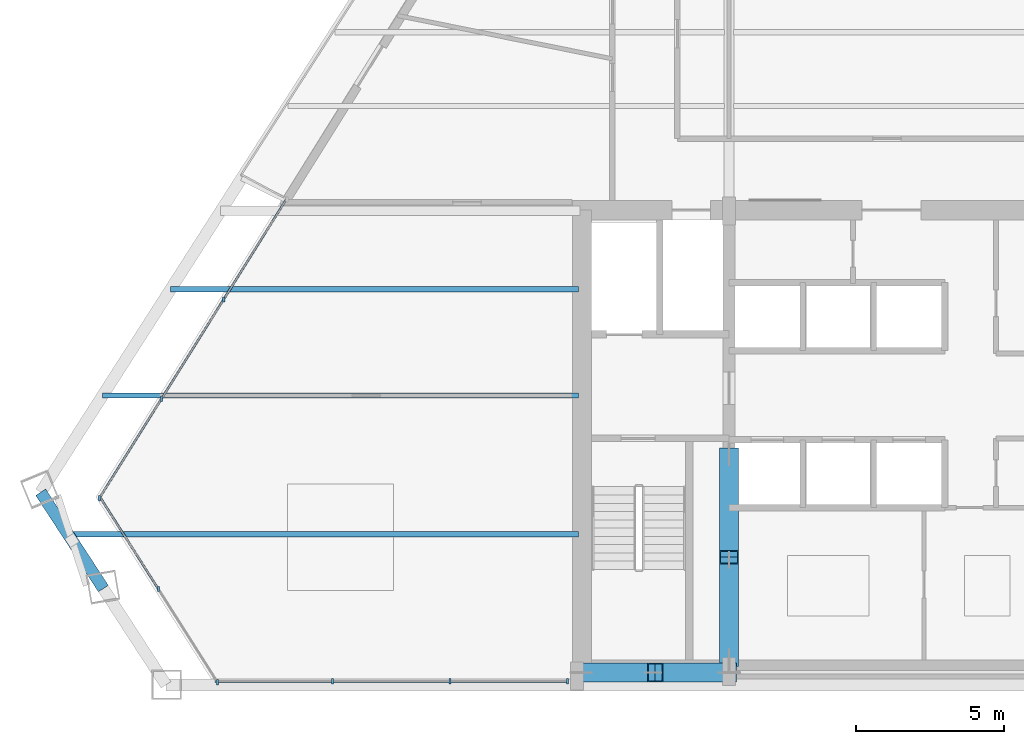
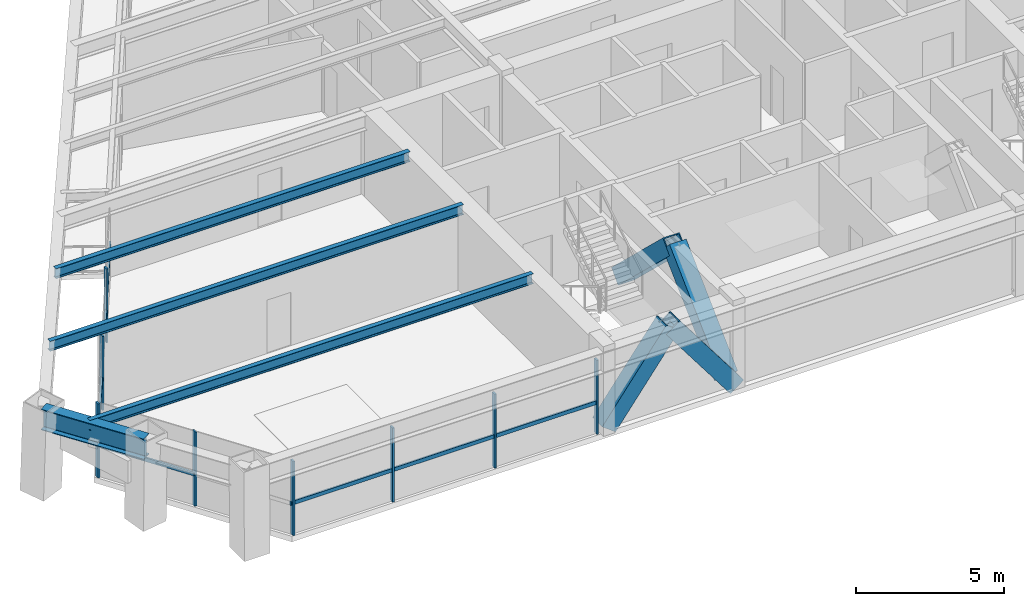
# One storey, part 2 of 15: 19 members, 4 beams, 3 elements without a shape of their own.
"""IFC4 building model written with IfcOpenShell, lengths in metres."""

from ifc_helpers import new_model, si_unit, direction, frame, origin, origin_2d, place, context, subcontext, project, spatial, rectangle, hollow_rectangle, i_section, extrude, source, transform, mapped, material, material_profile, profile_set, type_object, element, aggregate, save


model = new_model("IFC4")

# Units and contexts
model_context = context("Model", 3, precision=1e-05, world=origin(), true_north=direction((0.0, 1.0)))
body_context = subcontext(model_context, "Body", "Model", "MODEL_VIEW")
ifc_project = project(units=[si_unit("LENGTHUNIT", "METRE"), si_unit("AREAUNIT", "SQUARE_METRE"), si_unit("VOLUMEUNIT", "CUBIC_METRE"), si_unit("PLANEANGLEUNIT", "RADIAN"), si_unit("MASSUNIT", "GRAM", prefix="KILO")], contexts=[model_context])

# Site, building, storey
site_placement = place(None, origin())
site = spatial("IfcSite", under=ifc_project, at=site_placement, CompositionType="ELEMENT")
building_placement = place(site_placement, origin())
building = spatial("IfcBuilding", under=site, at=building_placement, Name="Varnakhor Terracotta Tower", CompositionType="ELEMENT")
storey_placement = place(building_placement, frame((0.0, 0.0, 178.39990234375)))
storey = spatial("IfcBuildingStorey", under=building, at=storey_placement, Name="L45", CompositionType="ELEMENT", Elevation=178.39990234375)

# Members
ifc_material_1 = material(Name="Steel S460", Category="steel")
ifc_material_profile_1 = material_profile(ifc_material_1, hollow_rectangle(XDim=0.64990234375, YDim=0.64990234375, WallThickness=0.0400390625, at=origin_2d()), Name="HSS650X650X40")
ifc_profile_set_1 = profile_set([ifc_material_profile_1], Name="Steel S460")
member_type_1 = type_object("IfcMemberType", Name="MBR-MEGA-650", PredefinedType="BRACE", material=ifc_profile_set_1)
shared_shape_1 = source(origin(), body_context, "Body", "SweptSolid", [
    extrude(hollow_rectangle(XDim=0.64990234375, YDim=0.64990234375, WallThickness=0.0400390625, at=origin_2d()), origin(), (0.0, 0.0, 1.0), 4.805908203125),
])
member_1_placement = place(storey_placement, frame((-5.5, 0.85009765625, 0.0), z_axis=(0.0, 0.723026776832, 0.69082000549), x_axis=(-1.0, 0.0, 0.0)))
element("IfcMember", 1, at=member_1_placement, inside=storey, type_object=member_type_1, Name="L45 Core Coupled Brace CWWA", PredefinedType="BRACE", context=body_context, shape_type="MappedRepresentation", body=[
    mapped(shared_shape_1, transform((0.0, 0.0, 0.0), scale=1.0)),
])
shared_shape_2 = source(origin(), body_context, "Body", "SweptSolid", [
    extrude(hollow_rectangle(XDim=0.64990234375, YDim=0.64990234375, WallThickness=0.0400390625, at=origin_2d()), origin(), (0.0, 0.0, 1.0), 4.156005859375),
])
for number, where, z_axis, x_axis, name in (
    (2, (-10.5, 0.419921875, 0.0), (0.601530923869, 0.0, 0.798849515009), (0.0, 1.0, 0.0), "L45 Core Coupled Brace CSWA"),
    (3, (-5.5, 0.419921875, 0.0), (-0.601530923869, 0.0, 0.798849515009), (0.0, -1.0, 0.0), "L45 Core Coupled Brace CSWB"),
):
    element("IfcMember", number, at=place(storey_placement, frame(where, z_axis=z_axis, x_axis=x_axis)), inside=storey, type_object=member_type_1, Name=name, PredefinedType="BRACE", context=body_context, shape_type="MappedRepresentation", body=[
        mapped(shared_shape_2, transform((0.0, 0.0, 0.0), scale=1.0)),
    ])
shared_shape_3 = source(origin(), body_context, "Body", "SweptSolid", [
    extrude(hollow_rectangle(XDim=0.64990234375, YDim=0.64990234375, WallThickness=0.0400390625, at=origin_2d()), origin(), (0.0, 0.0, 1.0), 4.80615234375),
])
member_2_placement = place(storey_placement, frame((-5.5, 7.800048828125, 0.0), z_axis=(0.0, -0.723051018573, 0.690794632681), x_axis=(1.0, 0.0, 0.0)))
element("IfcMember", 4, at=member_2_placement, inside=storey, type_object=member_type_1, Name="L45 Core Coupled Brace CWWB", PredefinedType="BRACE", context=body_context, shape_type="MappedRepresentation", body=[
    mapped(shared_shape_3, transform((0.0, 0.0, 0.0), scale=1.0)),
])

# Beams
ifc_material_2 = material(Name="Steel S355", Category="steel")
ifc_material_profile_2 = material_profile(ifc_material_2, i_section(OverallWidth=0.39990234375, OverallDepth=0.85498046875, WebThickness=0.01806640625, FlangeThickness=0.029052734375, FilletRadius=0.01806640625, at=origin_2d()), Name="W33X201")
ifc_profile_set_2 = profile_set([ifc_material_profile_2], Name="Steel S355")
beam_type_1 = type_object("IfcBeamType", Name="BM-W33X201", PredefinedType="BEAM", material=ifc_profile_set_2)
shared_shape_4 = source(origin(), body_context, "Body", "SweptSolid", [
    extrude(i_section(OverallWidth=0.39990234375, OverallDepth=0.85498046875, WebThickness=0.01806640625, FlangeThickness=0.029052734375, FilletRadius=0.01806640625, at=origin_2d()), origin(), (0.0, 0.0, 1.0), 3.89013671875),
])
beam_1_placement = place(storey_placement, frame((-28.80908203125, 6.522705078125, 3.04248046875), z_axis=(0.545178044239, -0.838320284903, 0.0), x_axis=(0.838320284903, 0.545178044239, 0.0)))
element("IfcBeam", 5, at=beam_1_placement, inside=storey, type_object=beam_type_1, Name="L45 Perimeter Spandrel 7", PredefinedType="BEAM", context=body_context, shape_type="MappedRepresentation", body=[
    mapped(shared_shape_4, transform((0.0, 0.0, 0.0), scale=1.0)),
])
ifc_material_profile_3 = material_profile(ifc_material_2, i_section(OverallWidth=0.179931640625, OverallDepth=0.4130859375, WebThickness=0.009765625, FlangeThickness=0.01611328125, FilletRadius=0.01806640625, at=origin_2d()), Name="W16X50")
ifc_profile_set_3 = profile_set([ifc_material_profile_3], Name="Steel S355")
beam_type_2 = type_object("IfcBeamType", Name="JST-W16X50", PredefinedType="JOIST", material=ifc_profile_set_3)
shared_shape_5 = source(origin(), body_context, "Body", "SweptSolid", [
    extrude(i_section(OverallWidth=0.179931640625, OverallDepth=0.4130859375, WebThickness=0.009765625, FlangeThickness=0.01611328125, FilletRadius=0.01806640625, at=origin_2d()), origin(), (0.0, 0.0, 1.0), 17.28369140625),
])
beam_2_placement = place(storey_placement, frame((-27.8837890625, 5.10009765625, 3.263671875), z_axis=(1.0, 0.0, 0.0), x_axis=(0.0, 1.0, 0.0)))
element("IfcBeam", 6, at=beam_2_placement, inside=storey, type_object=beam_type_2, Name="L45 Floor Joist W1", PredefinedType="JOIST", context=body_context, shape_type="MappedRepresentation", body=[
    mapped(shared_shape_5, transform((0.0, 0.0, 0.0), scale=1.0)),
])
shared_shape_6 = source(origin(), body_context, "Body", "SweptSolid", [
    extrude(i_section(OverallWidth=0.179931640625, OverallDepth=0.4130859375, WebThickness=0.009765625, FlangeThickness=0.01611328125, FilletRadius=0.01806640625, at=origin_2d()), origin(), (0.0, 0.0, 1.0), 16.111572265625),
])
beam_3_placement = place(storey_placement, frame((-26.711669921875, 9.800048828125, 3.263671875), z_axis=(1.0, 0.0, 0.0), x_axis=(0.0, 1.0, 0.0)))
element("IfcBeam", 7, at=beam_3_placement, inside=storey, type_object=beam_type_2, Name="L45 Floor Joist W2", PredefinedType="JOIST", context=body_context, shape_type="MappedRepresentation", body=[
    mapped(shared_shape_6, transform((0.0, 0.0, 0.0), scale=1.0)),
])
shared_shape_7 = source(origin(), body_context, "Body", "SweptSolid", [
    extrude(i_section(OverallWidth=0.179931640625, OverallDepth=0.4130859375, WebThickness=0.009765625, FlangeThickness=0.01611328125, FilletRadius=0.01806640625, at=origin_2d()), origin(), (0.0, 0.0, 1.0), 13.807861328125),
])
beam_4_placement = place(storey_placement, frame((-24.407958984375, 13.39990234375, 3.263671875), z_axis=(1.0, 0.0, 0.0), x_axis=(0.0, 1.0, 0.0)))
element("IfcBeam", 8, at=beam_4_placement, inside=storey, type_object=beam_type_2, Name="L45 Floor Joist W3", PredefinedType="JOIST", context=body_context, shape_type="MappedRepresentation", body=[
    mapped(shared_shape_7, transform((0.0, 0.0, 0.0), scale=1.0)),
])

# Curtain wall, members
ifc_material_3 = material(Name="Anodised Aluminium Curtain Wall System", Category="aluminium")
curtain_wall_type = type_object("IfcCurtainWallType", Name="CW-SYS-MID-OFFICE", PredefinedType="NOTDEFINED", material=ifc_material_3)
curtain_wall_1_placement = place(storey_placement, origin())
curtain_wall_1 = element("IfcCurtainWall", 9, at=curtain_wall_1_placement, inside=storey, type_object=curtain_wall_type, Name="L45 W Facet Curtain Wall 1", PredefinedType="NOTDEFINED")
ifc_material_4 = material(Name="Anodised Aluminium 6063-T6", Category="aluminium")
ifc_material_profile_4 = material_profile(ifc_material_4, rectangle(XDim=0.070068359375, YDim=0.175048828125, at=origin_2d()), Name="ALU MULLION 70x175")
ifc_profile_set_4 = profile_set([ifc_material_profile_4], Name="Anodised Aluminium 6063-T6")
member_type_2 = type_object("IfcMemberType", Name="CWM-03", PredefinedType="MULLION", material=ifc_profile_set_4)
shared_shape_8 = source(origin(), body_context, "Body", "SweptSolid", [
    extrude(rectangle(XDim=0.070068359375, YDim=0.175048828125, at=origin_2d()), origin(), (0.0, 0.0, 1.0), 3.050048828125),
])
member_3_placement = place(storey_placement, frame((-26.82421875, 6.321044921875, 0.0), z_axis=(0.0, 0.0, 1.0), x_axis=(1.0, 0.0, 0.0)))
member_3 = element("IfcMember", 10, at=member_3_placement, type_object=member_type_2, Name="L45 W Facet Curtain Wall 1 Mullion 1", PredefinedType="MULLION", context=body_context, shape_type="MappedRepresentation", body=[
    mapped(shared_shape_8, transform((0.0, 0.0, 0.0), scale=1.0)),
])
member_4_placement = place(storey_placement, frame((-24.717529296875, 9.6884765625, 0.0), z_axis=(0.0, 0.0, 1.0), x_axis=(1.0, 0.0, 0.0)))
member_4 = element("IfcMember", 11, at=member_4_placement, type_object=member_type_2, Name="L45 W Facet Curtain Wall 1 Mullion 2", PredefinedType="MULLION", context=body_context, shape_type="MappedRepresentation", body=[
    mapped(shared_shape_8, transform((0.0, 0.0, 0.0), scale=1.0)),
])
member_5_placement = place(storey_placement, frame((-22.61083984375, 13.055908203125, 0.0), z_axis=(0.0, 0.0, 1.0), x_axis=(1.0, 0.0, 0.0)))
member_5 = element("IfcMember", 12, at=member_5_placement, type_object=member_type_2, Name="L45 W Facet Curtain Wall 1 Mullion 3", PredefinedType="MULLION", context=body_context, shape_type="MappedRepresentation", body=[
    mapped(shared_shape_8, transform((0.0, 0.0, 0.0), scale=1.0)),
])

curtain_wall_2_placement = place(storey_placement, origin())
curtain_wall_2 = element("IfcCurtainWall", 13, at=curtain_wall_2_placement, inside=storey, type_object=curtain_wall_type, Name="L45 South Wing Curtain Wall SSW", PredefinedType="NOTDEFINED")
member_6_placement = place(storey_placement, frame((-10.969970703125, 0.1201171875, 0.0), z_axis=(0.0, 0.0, 1.0), x_axis=(1.0, 0.0, 0.0)))
member_6 = element("IfcMember", 14, at=member_6_placement, type_object=member_type_2, Name="L45 South Wing Curtain Wall SSW Mullion 1", PredefinedType="MULLION", context=body_context, shape_type="MappedRepresentation", body=[
    mapped(shared_shape_8, transform((0.0, 0.0, 0.0), scale=1.0)),
])
member_7_placement = place(storey_placement, frame((-14.9462890625, 0.1201171875, 0.0), z_axis=(0.0, 0.0, 1.0), x_axis=(1.0, 0.0, 0.0)))
member_7 = element("IfcMember", 15, at=member_7_placement, type_object=member_type_2, Name="L45 South Wing Curtain Wall SSW Mullion 2", PredefinedType="MULLION", context=body_context, shape_type="MappedRepresentation", body=[
    mapped(shared_shape_8, transform((0.0, 0.0, 0.0), scale=1.0)),
])
member_8_placement = place(storey_placement, frame((-18.922607421875, 0.1201171875, 0.0), z_axis=(0.0, 0.0, 1.0), x_axis=(1.0, 0.0, 0.0)))
member_8 = element("IfcMember", 16, at=member_8_placement, type_object=member_type_2, Name="L45 South Wing Curtain Wall SSW Mullion 3", PredefinedType="MULLION", context=body_context, shape_type="MappedRepresentation", body=[
    mapped(shared_shape_8, transform((0.0, 0.0, 0.0), scale=1.0)),
])

curtain_wall_3_placement = place(storey_placement, origin())
curtain_wall_3 = element("IfcCurtainWall", 17, at=curtain_wall_3_placement, inside=storey, type_object=curtain_wall_type, Name="L45 Facet Curtain Wall 6", PredefinedType="NOTDEFINED")
member_9_placement = place(storey_placement, frame((-22.82373046875, 0.089599609375, 0.0), z_axis=(0.0, 0.0, 1.0), x_axis=(1.0, 0.0, 0.0)))
member_9 = element("IfcMember", 18, at=member_9_placement, type_object=member_type_2, Name="L45 Facet Curtain Wall 6 Mullion 1", PredefinedType="MULLION", context=body_context, shape_type="MappedRepresentation", body=[
    mapped(shared_shape_8, transform((0.0, 0.0, 0.0), scale=1.0)),
])
member_10_placement = place(storey_placement, frame((-24.82421875, 3.243896484375, 0.0), z_axis=(0.0, 0.0, 1.0), x_axis=(1.0, 0.0, 0.0)))
member_10 = element("IfcMember", 19, at=member_10_placement, type_object=member_type_2, Name="L45 Facet Curtain Wall 6 Mullion 2", PredefinedType="MULLION", context=body_context, shape_type="MappedRepresentation", body=[
    mapped(shared_shape_8, transform((0.0, 0.0, 0.0), scale=1.0)),
])

# Member
ifc_material_profile_5 = material_profile(ifc_material_4, rectangle(XDim=0.070068359375, YDim=0.155029296875, at=origin_2d()), Name="ALU TRANSOM 70x155")
ifc_profile_set_5 = profile_set([ifc_material_profile_5], Name="Anodised Aluminium 6063-T6")
member_type_3 = type_object("IfcMemberType", Name="CWT-03", PredefinedType="USERDEFINED", material=ifc_profile_set_5)
shared_shape_9 = source(origin(), body_context, "Body", "SweptSolid", [
    extrude(rectangle(XDim=0.070068359375, YDim=0.155029296875, at=origin_2d()), origin(), (0.0, 0.0, 1.0), 3.97216796875),
])
member_11_placement = place(storey_placement, frame((-26.82421875, 6.321044921875, 1.281005859375), z_axis=(0.530369052068, 0.847766871616, 0.0), x_axis=(-0.847766871616, 0.530369052068, 0.0)))
member_11 = element("IfcMember", 20, at=member_11_placement, type_object=member_type_3, Name="L45 W Facet Curtain Wall 1 Transom 1", ObjectType="TRANSOM", PredefinedType="USERDEFINED", context=body_context, shape_type="MappedRepresentation", body=[
    mapped(shared_shape_9, transform((0.0, 0.0, 0.0), scale=1.0)),
])

member_12_placement = place(storey_placement, frame((-24.717529296875, 9.6884765625, 1.281005859375), z_axis=(0.530369052068, 0.847766871616, 0.0), x_axis=(-0.847766871616, 0.530369052068, 0.0)))
member_12 = element("IfcMember", 21, at=member_12_placement, type_object=member_type_3, Name="L45 W Facet Curtain Wall 1 Transom 2", ObjectType="TRANSOM", PredefinedType="USERDEFINED", context=body_context, shape_type="MappedRepresentation", body=[
    mapped(shared_shape_9, transform((0.0, 0.0, 0.0), scale=1.0)),
])

shared_shape_10 = source(origin(), body_context, "Body", "SweptSolid", [
    extrude(rectangle(XDim=0.070068359375, YDim=0.155029296875, at=origin_2d()), origin(), (0.0, 0.0, 1.0), 3.971923828125),
])
member_13_placement = place(storey_placement, frame((-22.61083984375, 13.055908203125, 1.281005859375), z_axis=(0.530396689044, 0.847749581098, 0.0), x_axis=(-0.847749581098, 0.530396689044, 0.0)))
member_13 = element("IfcMember", 22, at=member_13_placement, type_object=member_type_3, Name="L45 W Facet Curtain Wall 1 Transom 3", ObjectType="TRANSOM", PredefinedType="USERDEFINED", context=body_context, shape_type="MappedRepresentation", body=[
    mapped(shared_shape_10, transform((0.0, 0.0, 0.0), scale=1.0)),
])

aggregate(curtain_wall_1, [member_3, member_11, member_4, member_12, member_5, member_13])

shared_shape_11 = source(origin(), body_context, "Body", "SweptSolid", [
    extrude(rectangle(XDim=0.070068359375, YDim=0.155029296875, at=origin_2d()), origin(), (0.0, 0.0, 1.0), 3.976318359375),
])
member_14_placement = place(storey_placement, frame((-10.969970703125, 0.1201171875, 1.281005859375), z_axis=(-1.0, 0.0, 0.0), x_axis=(0.0, -1.0, 0.0)))
member_14 = element("IfcMember", 23, at=member_14_placement, type_object=member_type_3, Name="L45 South Wing Curtain Wall SSW Transom 1", ObjectType="TRANSOM", PredefinedType="USERDEFINED", context=body_context, shape_type="MappedRepresentation", body=[
    mapped(shared_shape_11, transform((0.0, 0.0, 0.0), scale=1.0)),
])

member_15_placement = place(storey_placement, frame((-14.9462890625, 0.1201171875, 1.281005859375), z_axis=(-1.0, 0.0, 0.0), x_axis=(0.0, -1.0, 0.0)))
member_15 = element("IfcMember", 24, at=member_15_placement, type_object=member_type_3, Name="L45 South Wing Curtain Wall SSW Transom 2", ObjectType="TRANSOM", PredefinedType="USERDEFINED", context=body_context, shape_type="MappedRepresentation", body=[
    mapped(shared_shape_11, transform((0.0, 0.0, 0.0), scale=1.0)),
])

member_16_placement = place(storey_placement, frame((-18.922607421875, 0.1201171875, 1.281005859375), z_axis=(-1.0, 0.0, 0.0), x_axis=(0.0, -1.0, 0.0)))
member_16 = element("IfcMember", 25, at=member_16_placement, type_object=member_type_3, Name="L45 South Wing Curtain Wall SSW Transom 3", ObjectType="TRANSOM", PredefinedType="USERDEFINED", context=body_context, shape_type="MappedRepresentation", body=[
    mapped(shared_shape_11, transform((0.0, 0.0, 0.0), scale=1.0)),
])

aggregate(curtain_wall_2, [member_6, member_14, member_7, member_15, member_8, member_16])

shared_shape_12 = source(origin(), body_context, "Body", "SweptSolid", [
    extrude(rectangle(XDim=0.070068359375, YDim=0.155029296875, at=origin_2d()), origin(), (0.0, 0.0, 1.0), 3.735107421875),
])
member_17_placement = place(storey_placement, frame((-24.82421875, 3.243896484375, 1.281005859375), z_axis=(-0.535534066189, 0.844513625675, 0.0), x_axis=(-0.844513625675, -0.535534066189, 0.0)))
member_17 = element("IfcMember", 26, at=member_17_placement, type_object=member_type_3, Name="L45 Facet Curtain Wall 6 Transom 2", ObjectType="TRANSOM", PredefinedType="USERDEFINED", context=body_context, shape_type="MappedRepresentation", body=[
    mapped(shared_shape_12, transform((0.0, 0.0, 0.0), scale=1.0)),
])

aggregate(curtain_wall_3, [member_9, member_10, member_17])

save(model, "model.ifc")
